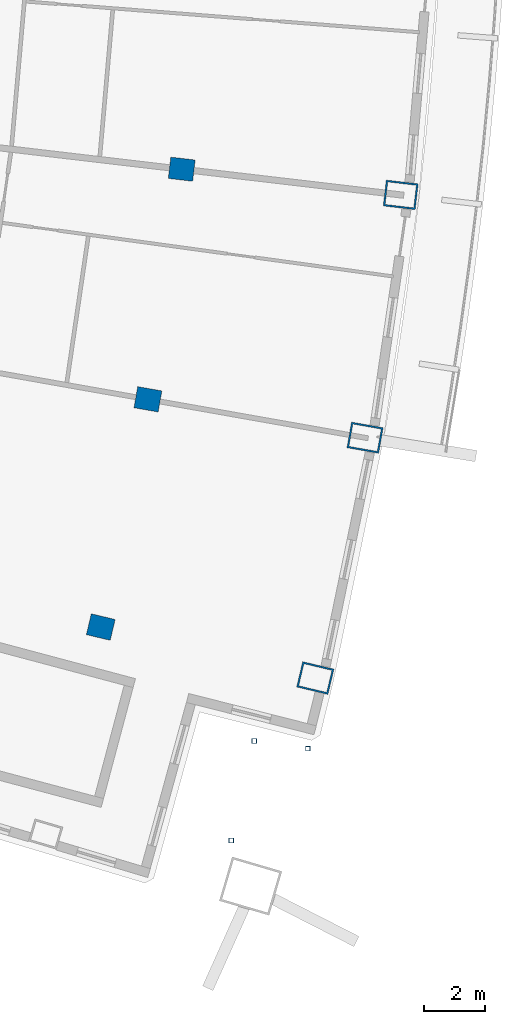
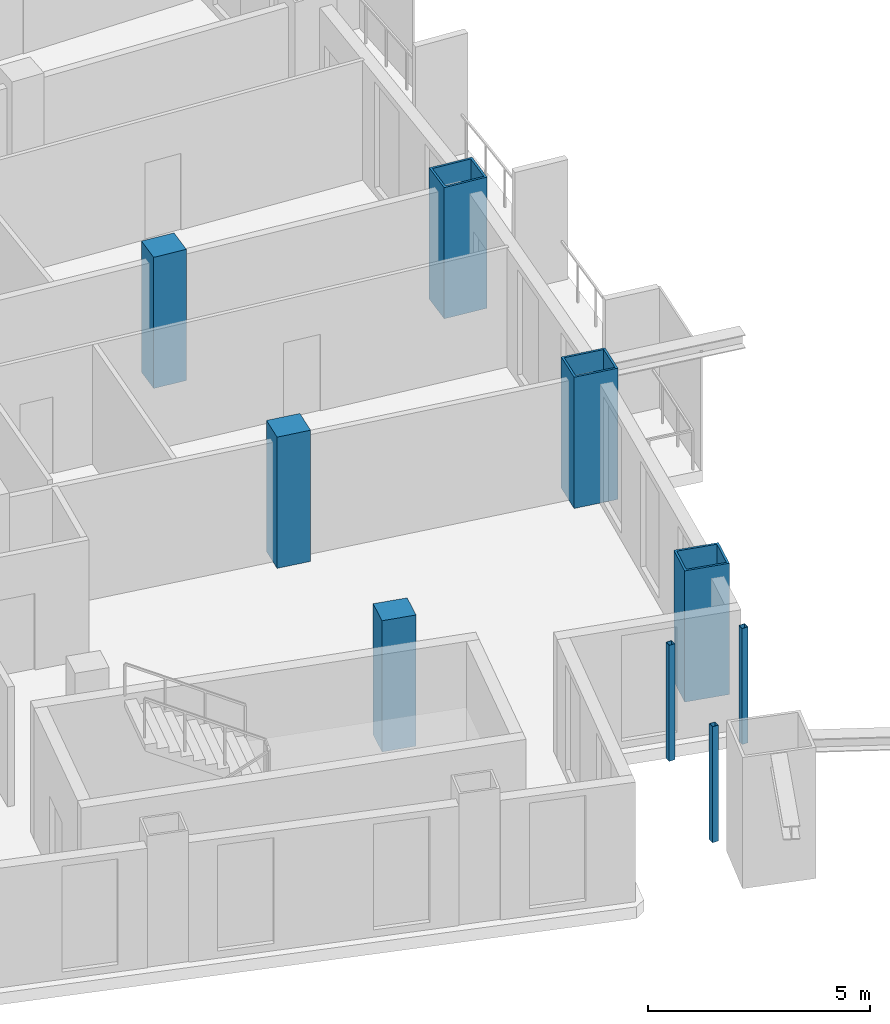
# One storey, part 5 of 19: 9 columns.
"""IFC4 building model written with IfcOpenShell, lengths in metres."""

from ifc_helpers import new_model, si_unit, direction, frame, origin, origin_2d, place, context, subcontext, project, spatial, rectangle, hollow_rectangle, extrude, material, material_profile, profile_set, type_object, element, save


model = new_model("IFC4")

# Units and contexts
model_context = context("Model", 3, precision=1e-05, world=origin(), true_north=direction((0.0, 1.0)))
body_context = subcontext(model_context, "Body", "Model", "MODEL_VIEW")
ifc_project = project(units=[si_unit("LENGTHUNIT", "METRE"), si_unit("AREAUNIT", "SQUARE_METRE"), si_unit("VOLUMEUNIT", "CUBIC_METRE"), si_unit("PLANEANGLEUNIT", "RADIAN"), si_unit("MASSUNIT", "GRAM", prefix="KILO")], contexts=[model_context])

# Site, building, storey
site_placement = place(None, origin())
site = spatial("IfcSite", under=ifc_project, at=site_placement, CompositionType="ELEMENT")
building_placement = place(site_placement, origin())
building = spatial("IfcBuilding", under=site, at=building_placement, Name="Alderwake Tower", CompositionType="ELEMENT")
storey_placement = place(building_placement, frame((0.0, 0.0, 228.800048828125)))
storey = spatial("IfcBuildingStorey", under=building, at=storey_placement, Name="L57", CompositionType="ELEMENT", Elevation=228.800048828125)

# Columns
ifc_material_1 = material(Name="Concrete C70/85", Category="concrete")
ifc_material_profile_1 = material_profile(ifc_material_1, rectangle(XDim=0.699951171875, YDim=0.800048828125, at=origin_2d()), Name="RC 800X700")
ifc_profile_set_1 = profile_set([ifc_material_profile_1], Name="Concrete C70/85")
column_type_1 = type_object("IfcColumnType", Name="Interior column Z4", PredefinedType="COLUMN", material=ifc_profile_set_1)
for number, where, z_axis, x_axis, name in (
    (1, (46.671630859375, 30.89501953125, 0.0), (0.0, 0.0, 1.0), (0.231221547198, 0.972901123502, 0.0), "Column R03-C4"),
    (2, (48.21142578125, 38.3310546875, 0.0), (0.0, 0.0, 1.0), (0.174108800747, 0.984726421654, 0.0), "Column R04-C4"),
    (3, (49.31494140625, 45.844482421875, 0.0), (0.0, 0.0, 1.0), (0.116402054316, 0.993202175668, 0.0), "Column R05-C4"),
):
    element("IfcColumn", number, at=place(storey_placement, frame(where, z_axis=z_axis, x_axis=x_axis)), inside=storey, type_object=column_type_1, Name=name, PredefinedType="COLUMN", context=body_context, shape_type="SweptSolid", body=[
        extrude(rectangle(XDim=0.699951171875, YDim=0.800048828125, at=origin_2d()), origin(), (0.0, 0.0, 1.0), 3.599853515625),
    ])
ifc_material_2 = material(Name="Steel ASTM A500 Grade C", Category="steel")
ifc_material_profile_2 = material_profile(ifc_material_2, hollow_rectangle(XDim=0.15234375, YDim=0.15234375, WallThickness=0.0087890625, at=origin_2d()), Name="HSS6X6X3/8")
ifc_profile_set_2 = profile_set([ifc_material_profile_2], Name="Steel ASTM A500 Grade C")
column_type_2 = type_object("IfcColumnType", Name="Light post HSS6X6X3/8", PredefinedType="COLUMN", material=ifc_profile_set_2)
for number, where, z_axis, x_axis, name in (
    (4, (53.4326171875, 26.925537109375, 0.0), (0.0, 0.0, 1.0), (1.0, 0.0, 0.0), "Terrace post FS1"),
    (5, (50.9326171875, 23.925537109375, 0.0), (0.0, 0.0, 1.0), (1.0, 0.0, 0.0), "Terrace post FS2"),
    (6, (51.6826171875, 27.175537109375, 0.0), (0.0, 0.0, 1.0), (1.0, 0.0, 0.0), "Terrace post FS3"),
):
    element("IfcColumn", number, at=place(storey_placement, frame(where, z_axis=z_axis, x_axis=x_axis)), inside=storey, type_object=column_type_2, Name=name, PredefinedType="COLUMN", context=body_context, shape_type="SweptSolid", body=[
        extrude(hollow_rectangle(XDim=0.15234375, YDim=0.15234375, WallThickness=0.0087890625, at=origin_2d()), origin(), (0.0, 0.0, 1.0), 3.179931640625),
    ])
ifc_material_3 = material(Name="Steel ASTM A572 Grade 50 concrete filled C70/85", Category="concrete")
ifc_material_profile_3 = material_profile(ifc_material_3, hollow_rectangle(XDim=0.85009765625, YDim=1.050048828125, WallThickness=0.054931640625, at=origin_2d()), Name="BOX 1050X850X55")
ifc_profile_set_3 = profile_set([ifc_material_profile_3], Name="Steel ASTM A572 Grade 50 concrete filled C70/85")
column_type_3 = type_object("IfcColumnType", Name="Perimeter column Z4", PredefinedType="COLUMN", material=ifc_profile_set_3)
for number, where, z_axis, x_axis, name in (
    (7, (53.676513671875, 29.22998046875, 0.0), (0.0, 0.0, 1.0), (0.231221547198, 0.972901123502, 0.0), "Column R03-C5"),
    (8, (55.301513671875, 37.077392578125, 0.0), (0.0, 0.0, 1.0), (0.174108800747, 0.984726421654, 0.0), "Column R04-C5"),
    (9, (56.466064453125, 45.00634765625, 0.0), (0.0, 0.0, 1.0), (0.116402054316, 0.993202175668, 0.0), "Column R05-C5"),
):
    element("IfcColumn", number, at=place(storey_placement, frame(where, z_axis=z_axis, x_axis=x_axis)), inside=storey, type_object=column_type_3, Name=name, PredefinedType="COLUMN", context=body_context, shape_type="SweptSolid", body=[
        extrude(hollow_rectangle(XDim=0.85009765625, YDim=1.050048828125, WallThickness=0.054931640625, at=origin_2d()), origin(), (0.0, 0.0, 1.0), 3.599853515625),
    ])

save(model, "model.ifc")
